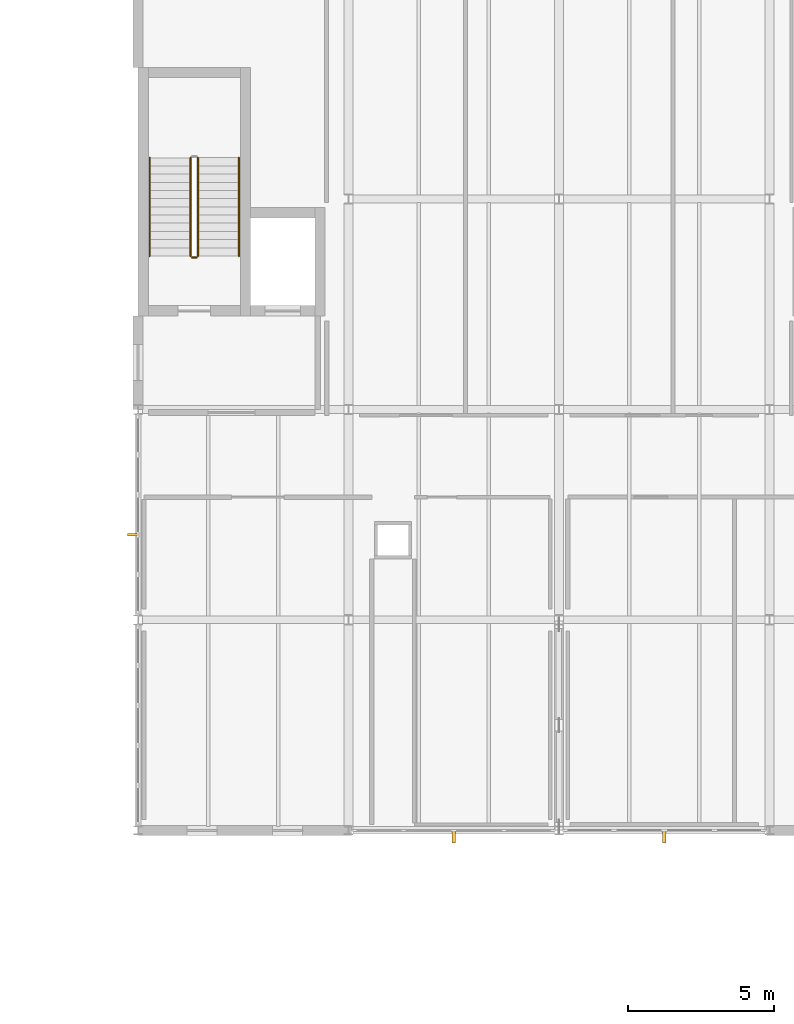
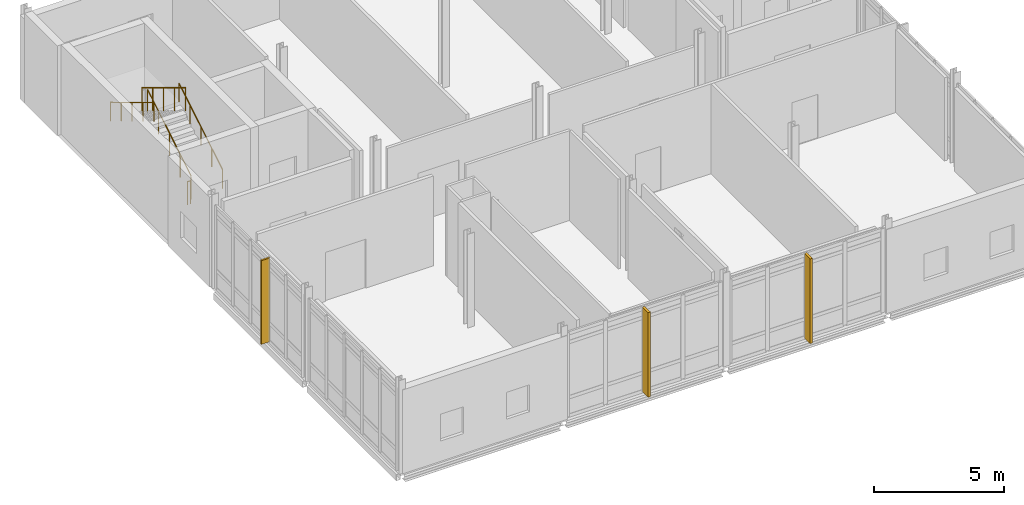
# One storey, part 42 of 43: 5 railings, 3 shading devices.
"""IFC4 building model written with IfcOpenShell, lengths in metres."""

from ifc_helpers import new_model, si_unit, direction, frame, origin, origin_2d, place, context, subcontext, project, spatial, rectangle, circle, extrude, material, layer, layer_set, type_object, element, save


model = new_model("IFC4")

# Units and contexts
model_context = context("Model", 3, precision=1e-05, world=origin(), true_north=direction((0.0, 1.0)))
body_context = subcontext(model_context, "Body", "Model", "MODEL_VIEW")
ifc_project = project(units=[si_unit("LENGTHUNIT", "METRE"), si_unit("AREAUNIT", "SQUARE_METRE"), si_unit("VOLUMEUNIT", "CUBIC_METRE"), si_unit("PLANEANGLEUNIT", "RADIAN"), si_unit("MASSUNIT", "GRAM", prefix="KILO")], contexts=[model_context])

# Site, building, storey
site_placement = place(None, origin())
site = spatial("IfcSite", under=ifc_project, at=site_placement, CompositionType="ELEMENT")
building_placement = place(site_placement, origin())
building = spatial("IfcBuilding", under=site, at=building_placement, Name="Zarrinpeak Specialist Clinic", CompositionType="ELEMENT")
storey_placement = place(building_placement, frame((0.0, 0.0, 18.39990234375)))
storey = spatial("IfcBuildingStorey", under=building, at=storey_placement, Name="L04", CompositionType="ELEMENT", Elevation=18.39990234375)

# Railings
ifc_material_1 = material(Name="Laminated Safety Glass and Stainless Steel 316", Category="steel")
ifc_layer_1 = layer(ifc_material_1, 0.06005859375)
ifc_layer_set_1 = layer_set([ifc_layer_1], Name="Laminated Safety Glass and Stainless Steel 316")
railing_type_1 = type_object("IfcRailingType", Name="RL-GRD115", PredefinedType="GUARDRAIL", material=ifc_layer_set_1)
railing_1_placement = place(storey_placement, frame((38.050048828125, 108.85009765625, 0.16943359375)))
element("IfcRailing", 1, at=railing_1_placement, inside=storey, type_object=railing_type_1, Name="L04 ST-11 stair guard 1", PredefinedType="GUARDRAIL", context=body_context, shape_type="SweptSolid", body=[
    extrude(circle(Radius=0.02392578125, at=origin_2d()), frame((0.0, 0.0, 1.076171875), z_axis=(0.0, 0.855820338506, 0.51727318527), x_axis=(-1.0, 0.0, 0.0)), (0.0, 0.0, 1.0), 3.92578125),
    extrude(circle(Radius=0.02099609375, at=origin_2d()), origin(), (0.0, 0.0, 1.0), 1.052001953125),
    extrude(circle(Radius=0.02099609375, at=origin_2d()), frame((0.0, 0.83984375, 0.5078125)), (0.0, 0.0, 1.0), 1.052001953125),
    extrude(circle(Radius=0.02099609375, at=origin_2d()), frame((0.0, 1.679931640625, 1.015380859375)), (0.0, 0.0, 1.0), 1.052001953125),
    extrude(circle(Radius=0.02099609375, at=origin_2d()), frame((0.0, 2.52001953125, 1.52294921875)), (0.0, 0.0, 1.0), 1.052001953125),
    extrude(circle(Radius=0.02099609375, at=origin_2d()), frame((0.0, 3.35986328125, 2.03076171875)), (0.0, 0.0, 1.0), 1.052001953125),
])
railing_2_placement = place(storey_placement, frame((37.800048828125, 112.2099609375, 2.369384765625)))
element("IfcRailing", 2, at=railing_2_placement, inside=storey, type_object=railing_type_1, Name="L04 ST-11 stair guard 3", PredefinedType="GUARDRAIL", context=body_context, shape_type="SweptSolid", body=[
    extrude(circle(Radius=0.02392578125, at=origin_2d()), frame((0.0, 0.0, 1.076171875), z_axis=(0.0, -0.855820338506, 0.51727318527), x_axis=(1.0, 0.0, 0.0)), (0.0, 0.0, 1.0), 3.92578125),
    extrude(circle(Radius=0.02099609375, at=origin_2d()), origin(), (0.0, 0.0, 1.0), 1.052001953125),
    extrude(circle(Radius=0.02099609375, at=origin_2d()), frame((0.0, -0.83984375, 0.5078125)), (0.0, 0.0, 1.0), 1.052001953125),
    extrude(circle(Radius=0.02099609375, at=origin_2d()), frame((0.0, -1.679931640625, 1.015380859375)), (0.0, 0.0, 1.0), 1.052001953125),
    extrude(circle(Radius=0.02099609375, at=origin_2d()), frame((0.0, -2.52001953125, 1.52294921875)), (0.0, 0.0, 1.0), 1.052001953125),
    extrude(circle(Radius=0.02099609375, at=origin_2d()), frame((0.0, -3.35986328125, 2.03076171875)), (0.0, 0.0, 1.0), 1.052001953125),
])
railing_3_placement = place(storey_placement, frame((38.0, 108.800048828125, 0.0)))
element("IfcRailing", 3, at=railing_3_placement, inside=storey, type_object=railing_type_1, Name="L04 ST-11 stair guard 4", PredefinedType="GUARDRAIL", context=body_context, shape_type="SweptSolid", body=[
    extrude(circle(Radius=0.02392578125, at=origin_2d()), frame((0.0, 0.0, 1.076171875), z_axis=(-1.0, 0.0, 0.0), x_axis=(0.0, -1.0, 0.0)), (0.0, 0.0, 1.0), 0.14990234375),
    extrude(circle(Radius=0.02099609375, at=origin_2d()), origin(), (0.0, 0.0, 1.0), 1.052001953125),
    extrude(circle(Radius=0.02099609375, at=origin_2d()), frame((-0.14990234375, 0.0, 0.0)), (0.0, 0.0, 1.0), 1.052001953125),
])
ifc_material_2 = material(Name="Brushed Stainless Steel 316 Handrail", Category="steel")
ifc_layer_2 = layer(ifc_material_2, 0.050048828125)
ifc_layer_set_2 = layer_set([ifc_layer_2], Name="Brushed Stainless Steel 316 Handrail")
railing_type_2 = type_object("IfcRailingType", Name="RL-HND92", PredefinedType="HANDRAIL", material=ifc_layer_set_2)
railing_4_placement = place(storey_placement, frame((39.449951171875, 108.85009765625, 0.16943359375)))
element("IfcRailing", 4, at=railing_4_placement, inside=storey, type_object=railing_type_2, Name="L04 ST-11 stair handrail 1", PredefinedType="HANDRAIL", context=body_context, shape_type="SweptSolid", body=[
    extrude(circle(Radius=0.02392578125, at=origin_2d()), frame((0.0, 0.0, 0.8759765625), z_axis=(0.0, 0.855820338506, 0.51727318527), x_axis=(-1.0, 0.0, 0.0)), (0.0, 0.0, 1.0), 3.92578125),
    extrude(circle(Radius=0.02099609375, at=origin_2d()), origin(), (0.0, 0.0, 1.0), 0.851806640625),
    extrude(circle(Radius=0.02099609375, at=origin_2d()), frame((0.0, 0.83984375, 0.5078125)), (0.0, 0.0, 1.0), 0.851806640625),
    extrude(circle(Radius=0.02099609375, at=origin_2d()), frame((0.0, 1.679931640625, 1.015380859375)), (0.0, 0.0, 1.0), 0.851806640625),
    extrude(circle(Radius=0.02099609375, at=origin_2d()), frame((0.0, 2.52001953125, 1.52294921875)), (0.0, 0.0, 1.0), 0.851806640625),
    extrude(circle(Radius=0.02099609375, at=origin_2d()), frame((0.0, 3.35986328125, 2.03076171875)), (0.0, 0.0, 1.0), 0.851806640625),
])
railing_5_placement = place(storey_placement, frame((36.39990234375, 112.2099609375, 2.369384765625)))
element("IfcRailing", 5, at=railing_5_placement, inside=storey, type_object=railing_type_2, Name="L04 ST-11 stair handrail 2", PredefinedType="HANDRAIL", context=body_context, shape_type="SweptSolid", body=[
    extrude(circle(Radius=0.02392578125, at=origin_2d()), frame((0.0, 0.0, 0.8759765625), z_axis=(0.0, -0.855820338506, 0.51727318527), x_axis=(1.0, 0.0, 0.0)), (0.0, 0.0, 1.0), 3.92578125),
    extrude(circle(Radius=0.02099609375, at=origin_2d()), origin(), (0.0, 0.0, 1.0), 0.851806640625),
    extrude(circle(Radius=0.02099609375, at=origin_2d()), frame((0.0, -0.83984375, 0.5078125)), (0.0, 0.0, 1.0), 0.851806640625),
    extrude(circle(Radius=0.02099609375, at=origin_2d()), frame((0.0, -1.679931640625, 1.015380859375)), (0.0, 0.0, 1.0), 0.851806640625),
    extrude(circle(Radius=0.02099609375, at=origin_2d()), frame((0.0, -2.52001953125, 1.52294921875)), (0.0, 0.0, 1.0), 0.851806640625),
    extrude(circle(Radius=0.02099609375, at=origin_2d()), frame((0.0, -3.35986328125, 2.03076171875)), (0.0, 0.0, 1.0), 0.851806640625),
])

# Shading devices
ifc_material_3 = material(Name="Anodised Bronze Aluminium", Category="aluminium")
shading_device_type_1 = type_object("IfcShadingDeviceType", Name="SHD-FIN-BZ", PredefinedType="JALOUSIE", material=ifc_material_3)
shading_device_placement = place(storey_placement, frame((35.8349609375, 99.31689453125, -0.0146484375), z_axis=(0.0, 0.0, 1.0), x_axis=(1.0, 0.0, 0.0)))
element("IfcShadingDevice", 6, at=shading_device_placement, inside=storey, type_object=shading_device_type_1, Name="L04 V6 Solar Control Fin FIN-099", PredefinedType="JALOUSIE", context=body_context, shape_type="SweptSolid", body=[
    extrude(rectangle(XDim=0.3798828125, YDim=0.074951171875, at=origin_2d()), origin(), (0.0, 0.0, 1.0), 3.929931640625),
])
ifc_material_4 = material(Name="Glulam GL28h", Category="wood")
shading_device_type_2 = type_object("IfcShadingDeviceType", Name="SHD-FIN-GL", PredefinedType="USERDEFINED", material=ifc_material_4)
for number, where, z_axis, x_axis, name in (
    (7, (46.800048828125, 89.0, -0.0146484375), (0.0, 0.0, 1.0), (1.0, 0.0, 0.0), "L04 V6 Cedar-Glulam Courtyard Fin FIN-097"),
    (8, (54.0, 89.0, -0.0146484375), (0.0, 0.0, 1.0), (1.0, 0.0, 0.0), "L04 V6 Cedar-Glulam Courtyard Fin FIN-098"),
):
    element("IfcShadingDevice", number, at=place(storey_placement, frame(where, z_axis=z_axis, x_axis=x_axis)), inside=storey, type_object=shading_device_type_2, Name=name, ObjectType="SUNSHADE", PredefinedType="USERDEFINED", context=body_context, shape_type="SweptSolid", body=[
        extrude(rectangle(XDim=0.110107421875, YDim=0.449951171875, at=origin_2d()), origin(), (0.0, 0.0, 1.0), 3.969970703125),
    ])

save(model, "model.ifc")
